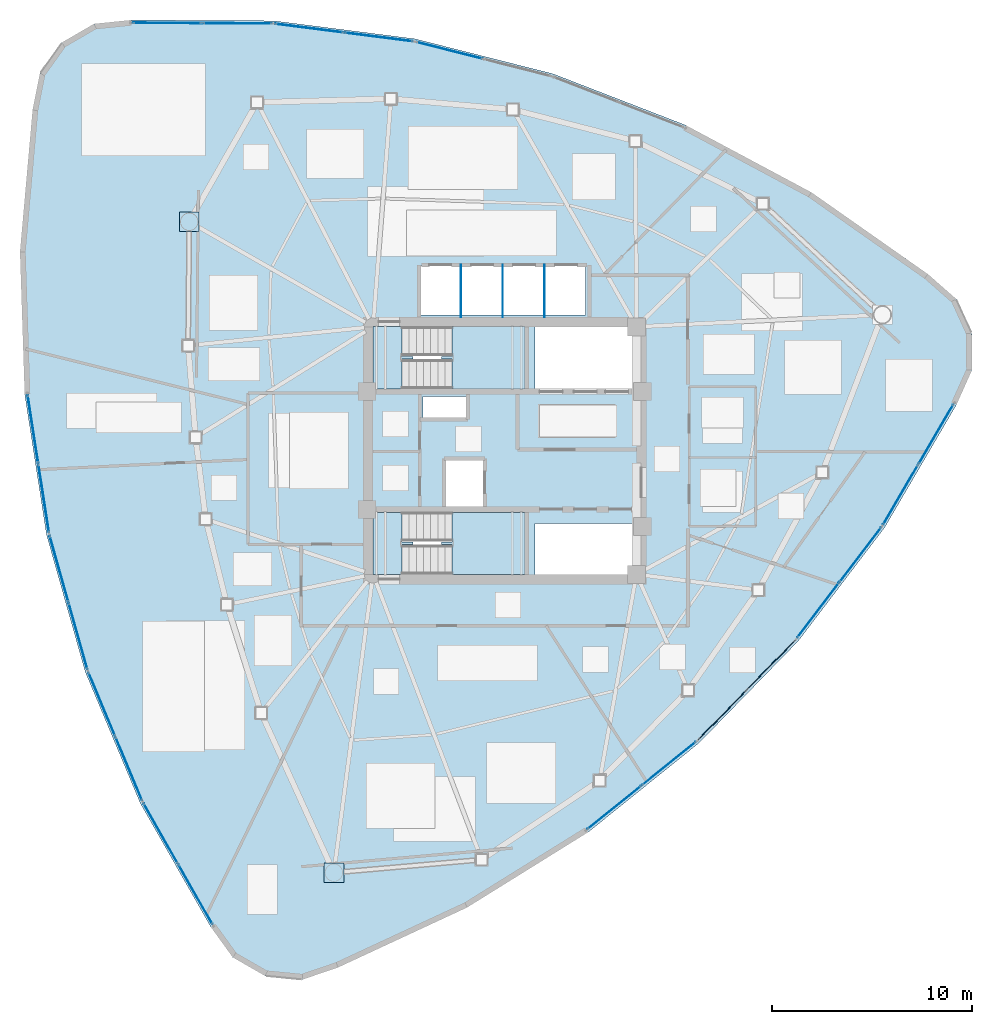
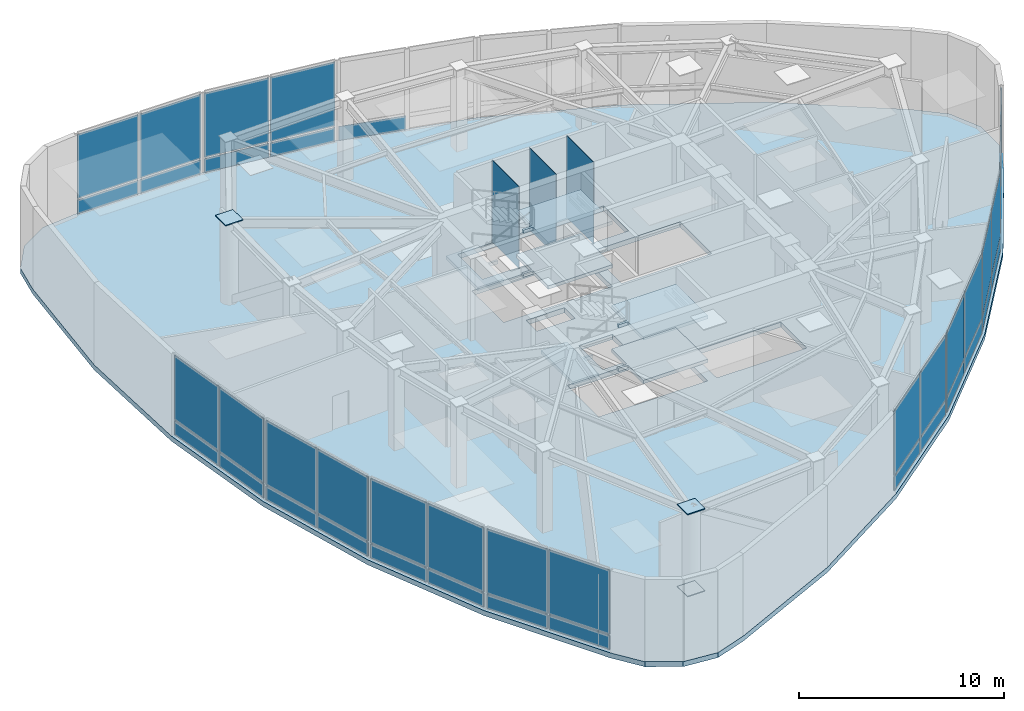
# One storey, part 7 of 12: 47 plates, 7 slabs, 13 elements without a shape of their own.
"""IFC4 building model written with IfcOpenShell, lengths in metres."""

from ifc_helpers import new_model, si_unit, direction, frame, origin, origin_2d, place, context, subcontext, project, spatial, polyline, rectangle, outline, extrude, source, transform, mapped, material, layer, layer_set, type_object, type_shapes, element, aggregate, save


model = new_model("IFC4")

# Units and contexts
model_context = context("Model", 3, precision=1e-05, world=origin(), true_north=direction((0.0, 1.0)))
body_context = subcontext(model_context, "Body", "Model", "MODEL_VIEW")
ifc_project = project(units=[si_unit("LENGTHUNIT", "METRE"), si_unit("AREAUNIT", "SQUARE_METRE"), si_unit("VOLUMEUNIT", "CUBIC_METRE"), si_unit("PLANEANGLEUNIT", "RADIAN"), si_unit("MASSUNIT", "GRAM", prefix="KILO")], contexts=[model_context])

# Site, building, storey
site_placement = place(None, origin())
site = spatial("IfcSite", under=ifc_project, at=site_placement, CompositionType="ELEMENT")
building_placement = place(site_placement, origin())
building = spatial("IfcBuilding", under=site, at=building_placement, Name="Tavelor Broadcast Tower", CompositionType="ELEMENT")
storey_placement = place(building_placement, frame((0.0, 0.0, 216.949951171875)))
storey = spatial("IfcBuildingStorey", under=building, at=storey_placement, Name="L51", CompositionType="ELEMENT", Elevation=216.949951171875)

# Stair, slabs
ifc_material_1 = material(Name="Concrete C40/50", Category="concrete")
stair_type = type_object("IfcStairType", Name="Reinforced Concrete Protected Dogleg Stair 1450 mm", PredefinedType="HALF_TURN_STAIR", material=ifc_material_1)
stair_1_placement = place(storey_placement, origin())
stair_1 = element("IfcStair", 1, at=stair_1_placement, inside=storey, type_object=stair_type, Name="L51 Protected Core Exit Stair ST1", PredefinedType="HALF_TURN_STAIR")
ifc_layer_1 = layer(ifc_material_1, 0.199951171875)
ifc_layer_set_1 = layer_set([ifc_layer_1], Name="Concrete C40/50")
slab_type_1 = type_object("IfcSlabType", Name="Reinforced Concrete Stair Half-Landing Slab 200 mm", PredefinedType="LANDING", material=ifc_layer_set_1)
slab_1_placement = place(storey_placement, frame((0.0, 0.0, 1.10009765625)))
slab_1 = element("IfcSlab", 2, at=slab_1_placement, type_object=slab_type_1, Name="ST1 landing 1", PredefinedType="LANDING", context=body_context, shape_type="SweptSolid", body=[
    extrude(outline(polyline([(47.364990234375, 49.590087890625), (47.364990234375, 48.094970703125), (51.0048828125, 48.094970703125), (51.0048828125, 51.205078125), (47.364990234375, 51.205078125), (47.364990234375, 49.7099609375), (46.824951171875, 49.7099609375), (46.824951171875, 49.590087890625), (47.364990234375, 49.590087890625)])), origin(), (0.0, 0.0, 1.0), 0.199951171875),
])
slab_2_placement = place(storey_placement, frame((0.0, 0.0, 2.400146484375)))
slab_2 = element("IfcSlab", 3, at=slab_2_placement, type_object=slab_type_1, Name="ST1 landing 2", PredefinedType="LANDING", context=body_context, shape_type="SweptSolid", body=[
    extrude(outline(polyline([(43.39501953125, 48.094970703125), (44.85498046875, 48.094970703125), (44.85498046875, 49.590087890625), (45.39501953125, 49.590087890625), (45.39501953125, 49.7099609375), (44.85498046875, 49.7099609375), (44.85498046875, 51.205078125), (43.39501953125, 51.205078125), (43.39501953125, 48.094970703125)])), origin(), (0.0, 0.0, 1.0), 0.199951171875),
])
slab_3_placement = place(storey_placement, frame((0.0, 0.0, 3.699951171875)))
slab_3 = element("IfcSlab", 4, at=slab_3_placement, type_object=slab_type_1, Name="ST1 landing 3", PredefinedType="LANDING", context=body_context, shape_type="SweptSolid", body=[
    extrude(outline(polyline([(47.364990234375, 49.590087890625), (47.364990234375, 48.094970703125), (51.0048828125, 48.094970703125), (51.0048828125, 51.205078125), (47.364990234375, 51.205078125), (47.364990234375, 49.7099609375), (46.824951171875, 49.7099609375), (46.824951171875, 49.590087890625), (47.364990234375, 49.590087890625)])), origin(), (0.0, 0.0, 1.0), 0.2001953125),
])
aggregate(stair_1, [slab_1, slab_2, slab_3])

stair_2_placement = place(storey_placement, origin())
stair_2 = element("IfcStair", 5, at=stair_2_placement, inside=storey, type_object=stair_type, Name="L51 Protected Core Exit Stair ST2", PredefinedType="HALF_TURN_STAIR")
slab_4_placement = place(storey_placement, frame((0.0, 0.0, 1.10009765625)))
slab_4 = element("IfcSlab", 6, at=slab_4_placement, type_object=slab_type_1, Name="ST2 landing 1", PredefinedType="LANDING", context=body_context, shape_type="SweptSolid", body=[
    extrude(outline(polyline([(47.364990234375, 40.2900390625), (47.364990234375, 38.794921875), (51.0048828125, 38.794921875), (51.0048828125, 41.905029296875), (47.364990234375, 41.905029296875), (47.364990234375, 40.409912109375), (46.824951171875, 40.409912109375), (46.824951171875, 40.2900390625), (47.364990234375, 40.2900390625)])), origin(), (0.0, 0.0, 1.0), 0.199951171875),
])
slab_5_placement = place(storey_placement, frame((0.0, 0.0, 2.400146484375)))
slab_5 = element("IfcSlab", 7, at=slab_5_placement, type_object=slab_type_1, Name="ST2 landing 2", PredefinedType="LANDING", context=body_context, shape_type="SweptSolid", body=[
    extrude(outline(polyline([(43.39501953125, 38.794921875), (44.85498046875, 38.794921875), (44.85498046875, 40.2900390625), (45.39501953125, 40.2900390625), (45.39501953125, 40.409912109375), (44.85498046875, 40.409912109375), (44.85498046875, 41.905029296875), (43.39501953125, 41.905029296875), (43.39501953125, 38.794921875)])), origin(), (0.0, 0.0, 1.0), 0.199951171875),
])
slab_6_placement = place(storey_placement, frame((0.0, 0.0, 3.699951171875)))
slab_6 = element("IfcSlab", 8, at=slab_6_placement, type_object=slab_type_1, Name="ST2 landing 3", PredefinedType="LANDING", context=body_context, shape_type="SweptSolid", body=[
    extrude(outline(polyline([(47.364990234375, 40.2900390625), (47.364990234375, 38.794921875), (51.0048828125, 38.794921875), (51.0048828125, 41.905029296875), (47.364990234375, 41.905029296875), (47.364990234375, 40.409912109375), (46.824951171875, 40.409912109375), (46.824951171875, 40.2900390625), (47.364990234375, 40.2900390625)])), origin(), (0.0, 0.0, 1.0), 0.2001953125),
])
aggregate(stair_2, [slab_4, slab_5, slab_6])

# Slab
ifc_layer_2 = layer(ifc_material_1, 0.320068359375)
ifc_layer_set_2 = layer_set([ifc_layer_2], Name="Concrete C40/50")
slab_type_2 = type_object("IfcSlabType", Name="Sky Lobby Floor Slab 320 mm", PredefinedType="FLOOR", material=ifc_layer_set_2)
slab_7_placement = place(storey_placement, frame((0.0, 0.0, -0.300048828125)))
element("IfcSlab", 9, at=slab_7_placement, inside=storey, type_object=slab_type_2, Name="L51 Structural Floor Slab", PredefinedType="FLOOR", context=body_context, shape_type="SweptSolid", body=[
    extrude(outline(polyline([(31.291259765625, 66.568115234375), (29.42626953125, 66.376953125), (27.80517578125, 65.435302734375), (26.715087890625, 63.91015625), (26.349365234375, 62.0712890625), (25.718017578125, 54.96337890625), (25.951416015625, 47.83154296875), (27.046142578125, 40.7802734375), (28.986083984375, 33.9130859375), (31.742919921875, 27.331298828125), (35.27587890625, 21.13134765625), (36.373779296875, 19.61181640625), (37.999755859375, 18.6787109375), (39.86572265625, 18.497314453125), (41.64111328125, 19.10009765625), (48.1123046875, 22.107177734375), (54.172119140625, 25.875244140625), (59.7314453125, 30.34912109375), (64.70849609375, 35.462646484375), (69.030029296875, 41.140869140625), (72.6328125, 47.30029296875), (73.39990234375, 49.010986328125), (73.39501953125, 50.885986328125), (72.618896484375, 52.592529296875), (71.20947265625, 53.82861328125), (65.36962890625, 57.92919921875), (59.076416015625, 61.293212890625), (52.422607421875, 63.870849609375), (45.50537109375, 65.624267578125), (38.427001953125, 66.52783203125), (31.291259765625, 66.568115234375)]), holes=[polyline([(56.60009765625, 41.35009765625), (56.60009765625, 38.800048828125), (51.52001953125, 38.800048828125), (51.52001953125, 41.35009765625), (56.60009765625, 41.35009765625)]), polyline([(50.99609375, 38.803955078125), (44.85400390625, 38.803955078125), (44.85400390625, 41.89599609375), (50.99609375, 41.89599609375), (50.99609375, 38.803955078125)]), polyline([(47.050048828125, 42.199951171875), (47.050048828125, 44.550048828125), (48.949951171875, 44.550048828125), (48.949951171875, 42.199951171875), (47.050048828125, 42.199951171875)]), polyline([(48.050048828125, 46.64990234375), (45.89990234375, 46.64990234375), (45.89990234375, 47.699951171875), (48.050048828125, 47.699951171875), (48.050048828125, 46.64990234375)]), polyline([(50.99609375, 48.10400390625), (44.85400390625, 48.10400390625), (44.85400390625, 51.196044921875), (50.99609375, 51.196044921875), (50.99609375, 48.10400390625)]), polyline([(56.60009765625, 48.10009765625), (51.52001953125, 48.10009765625), (51.52001953125, 51.199951171875), (56.60009765625, 51.199951171875), (56.60009765625, 48.10009765625)]), polyline([(54.050048828125, 51.800048828125), (45.800048828125, 51.800048828125), (45.800048828125, 54.25), (54.050048828125, 54.25), (54.050048828125, 51.800048828125)])]), origin(), (0.0, 0.0, 1.0), 0.300048828125),
])

# Plates
ifc_material_2 = material(Name="Steel S460", Category="steel")
ifc_layer_3 = layer(ifc_material_2, 0.050048828125)
ifc_layer_set_3 = layer_set([ifc_layer_3], Name="Steel S460")
plate_type_1 = type_object("IfcPlateType", Name="Tube Hollow-End Cap Plate KN05 700x700x50", PredefinedType="USERDEFINED", material=ifc_layer_set_3)
shared_shape_1 = source(origin(), body_context, "Body", "SweptSolid", [
    extrude(rectangle(XDim=0.993896484375, YDim=0.993896484375, at=origin_2d()), origin(), (0.0, 0.0, 1.0), 0.054931640625),
])
type_shapes(plate_type_1, [shared_shape_1])
for number, where, z_axis, x_axis, name in (
    (10, (34.1962890625, 56.4599609375, 4.87255859375), (0.0, 0.0, 1.0), (1.0, 0.0, 0.0), "L51 Hollow End Cap Plate KN05 #1506"),
    (11, (41.440185546875, 23.853759765625, -0.02734375), (0.0, 0.0, 1.0), (1.0, 0.0, 0.0), "L51 Hollow End Cap Plate KN05 #1512"),
    (12, (41.440185546875, 23.853759765625, 4.87255859375), (0.0, 0.0, 1.0), (1.0, 0.0, 0.0), "L51 Hollow End Cap Plate KN05 #1513"),
):
    element("IfcPlate", number, at=place(storey_placement, frame(where, z_axis=z_axis, x_axis=x_axis)), inside=storey, type_object=plate_type_1, Name=name, ObjectType="CAP PLATE", PredefinedType="USERDEFINED", context=body_context, shape_type="MappedRepresentation", body=[
        mapped(shared_shape_1, transform((0.0, 0.0, 0.0), scale=1.0)),
    ])
ifc_material_3 = material(Name="Steel S355", Category="steel")
ifc_layer_4 = layer(ifc_material_3, 0.011962890625)
ifc_layer_set_4 = layer_set([ifc_layer_4], Name="Steel S355")
plate_type_2 = type_object("IfcPlateType", Name="Hoistway Steel Separator Screen 12 mm", PredefinedType="SHEET", material=ifc_layer_set_4)
shared_shape_2 = source(origin(), body_context, "Body", "SweptSolid", [
    extrude(rectangle(XDim=0.02001953125, YDim=2.6201171875, at=origin_2d()), origin(), (0.0, 0.0, 1.0), 4.89990234375),
])
type_shapes(plate_type_2, [shared_shape_2])
for number, where, z_axis, x_axis, name in (
    (13, (47.800048828125, 52.989990234375, 0.0), (0.0, 0.0, 1.0), (1.0, 0.0, 0.0), "L51 High-Rise Hoistway Separator Screen 1"),
    (14, (49.89990234375, 52.989990234375, 0.0), (0.0, 0.0, 1.0), (1.0, 0.0, 0.0), "L51 High-Rise Hoistway Separator Screen 2"),
    (15, (52.0, 52.989990234375, 0.0), (0.0, 0.0, 1.0), (1.0, 0.0, 0.0), "L51 High-Rise Hoistway Separator Screen 3"),
):
    element("IfcPlate", number, at=place(storey_placement, frame(where, z_axis=z_axis, x_axis=x_axis)), inside=storey, type_object=plate_type_2, Name=name, PredefinedType="SHEET", context=body_context, shape_type="MappedRepresentation", body=[
        mapped(shared_shape_2, transform((0.0, 0.0, 0.0), scale=1.0)),
    ])

# Curtain wall, plates
ifc_material_4 = material(Name="Architectural Anodized Aluminium", Category="aluminium")
ifc_layer_5 = layer(ifc_material_4, 0.239990234375)
ifc_layer_set_5 = layer_set([ifc_layer_5], Name="Architectural Anodized Aluminium")
curtain_wall_type = type_object("IfcCurtainWallType", Name="Sky Lobby Feature Structural Curtain Wall CW05", PredefinedType="NOTDEFINED", material=ifc_layer_set_5)
curtain_wall_1_placement = place(storey_placement, origin())
curtain_wall_1 = element("IfcCurtainWall", 16, at=curtain_wall_1_placement, inside=storey, type_object=curtain_wall_type, Name="L51 Curtain Wall CW05 Run 541", PredefinedType="NOTDEFINED")
ifc_material_5 = material(Name="Ultra-Clear Structural Glazing 38 mm", Category="glass")
ifc_layer_6 = layer(ifc_material_5, 0.0380859375)
ifc_layer_set_6 = layer_set([ifc_layer_6], Name="Ultra-Clear Structural Glazing 38 mm")
plate_type_3 = type_object("IfcPlateType", Name="CW05 Insulated Vision Glazing Panel 38 mm", PredefinedType="CURTAIN_PANEL", material=ifc_layer_set_6)
shared_shape_3 = source(origin(), body_context, "Body", "SweptSolid", [
    extrude(rectangle(XDim=3.431884765625, YDim=0.0380859375, at=origin_2d()), origin(), (0.0, 0.0, 1.0), 0.830078125),
])
plate_1_placement = place(storey_placement, frame((26.366455078125, 46.06982421875, 0.080078125), z_axis=(0.0, 0.0, 1.0), x_axis=(0.153411036448, -0.988162463311, 0.0)))
plate_1 = element("IfcPlate", 17, at=plate_1_placement, type_object=plate_type_3, Name="CW05 panel 1.1", PredefinedType="CURTAIN_PANEL", context=body_context, shape_type="MappedRepresentation", body=[
    mapped(shared_shape_3, transform((0.0, 0.0, 0.0), scale=1.0)),
])
plate_2_placement = place(storey_placement, frame((26.9052734375, 42.599609375, 0.080078125), z_axis=(0.0, 0.0, 1.0), x_axis=(0.153411036448, -0.988162463311, 0.0)))
plate_2 = element("IfcPlate", 18, at=plate_2_placement, type_object=plate_type_3, Name="CW05 panel 2.1", PredefinedType="CURTAIN_PANEL", context=body_context, shape_type="MappedRepresentation", body=[
    mapped(shared_shape_3, transform((0.0, 0.0, 0.0), scale=1.0)),
])

curtain_wall_2_placement = place(storey_placement, origin())
curtain_wall_2 = element("IfcCurtainWall", 19, at=curtain_wall_2_placement, inside=storey, type_object=curtain_wall_type, Name="L51 Curtain Wall CW05 Run 545", PredefinedType="NOTDEFINED")
plate_3_placement = place(storey_placement, frame((55.490234375, 27.11572265625, 0.080078125), z_axis=(0.0, 0.0, 1.0), x_axis=(0.779069205, 0.626937934584, 0.0)))
plate_3 = element("IfcPlate", 20, at=plate_3_placement, type_object=plate_type_3, Name="CW05 panel 1.1", PredefinedType="CURTAIN_PANEL", context=body_context, shape_type="MappedRepresentation", body=[
    mapped(shared_shape_3, transform((0.0, 0.0, 0.0), scale=1.0)),
])
plate_4_placement = place(storey_placement, frame((58.22607421875, 29.3173828125, 0.080078125), z_axis=(0.0, 0.0, 1.0), x_axis=(0.779069205, 0.626937934584, 0.0)))
plate_4 = element("IfcPlate", 21, at=plate_4_placement, type_object=plate_type_3, Name="CW05 panel 2.1", PredefinedType="CURTAIN_PANEL", context=body_context, shape_type="MappedRepresentation", body=[
    mapped(shared_shape_3, transform((0.0, 0.0, 0.0), scale=1.0)),
])

# Plate
shared_shape_4 = source(origin(), body_context, "Body", "SweptSolid", [
    extrude(rectangle(XDim=3.431884765625, YDim=0.0380859375, at=origin_2d()), origin(), (0.0, 0.0, 1.0), 3.830078125),
])
plate_5_placement = place(storey_placement, frame((26.366455078125, 46.06982421875, 0.989990234375), z_axis=(0.0, 0.0, 1.0), x_axis=(0.153411036448, -0.988162463311, 0.0)))
plate_5 = element("IfcPlate", 22, at=plate_5_placement, type_object=plate_type_3, Name="CW05 panel 1.2", PredefinedType="CURTAIN_PANEL", context=body_context, shape_type="MappedRepresentation", body=[
    mapped(shared_shape_4, transform((0.0, 0.0, 0.0), scale=1.0)),
])

plate_6_placement = place(storey_placement, frame((26.9052734375, 42.599609375, 0.989990234375), z_axis=(0.0, 0.0, 1.0), x_axis=(0.153411036448, -0.988162463311, 0.0)))
plate_6 = element("IfcPlate", 23, at=plate_6_placement, type_object=plate_type_3, Name="CW05 panel 2.2", PredefinedType="CURTAIN_PANEL", context=body_context, shape_type="MappedRepresentation", body=[
    mapped(shared_shape_4, transform((0.0, 0.0, 0.0), scale=1.0)),
])

aggregate(curtain_wall_1, [plate_1, plate_5, plate_2, plate_6])

plate_7_placement = place(storey_placement, frame((55.490234375, 27.11572265625, 0.989990234375), z_axis=(0.0, 0.0, 1.0), x_axis=(0.779069205, 0.626937934584, 0.0)))
plate_7 = element("IfcPlate", 24, at=plate_7_placement, type_object=plate_type_3, Name="CW05 panel 1.2", PredefinedType="CURTAIN_PANEL", context=body_context, shape_type="MappedRepresentation", body=[
    mapped(shared_shape_4, transform((0.0, 0.0, 0.0), scale=1.0)),
])

plate_8_placement = place(storey_placement, frame((58.22607421875, 29.3173828125, 0.989990234375), z_axis=(0.0, 0.0, 1.0), x_axis=(0.779069205, 0.626937934584, 0.0)))
plate_8 = element("IfcPlate", 25, at=plate_8_placement, type_object=plate_type_3, Name="CW05 panel 2.2", PredefinedType="CURTAIN_PANEL", context=body_context, shape_type="MappedRepresentation", body=[
    mapped(shared_shape_4, transform((0.0, 0.0, 0.0), scale=1.0)),
])

aggregate(curtain_wall_2, [plate_3, plate_7, plate_4, plate_8])

# Curtain wall, plates
curtain_wall_3_placement = place(storey_placement, origin())
curtain_wall_3 = element("IfcCurtainWall", 26, at=curtain_wall_3_placement, inside=storey, type_object=curtain_wall_type, Name="L51 Curtain Wall CW05 Run 542", PredefinedType="NOTDEFINED")
shared_shape_5 = source(origin(), body_context, "Body", "SweptSolid", [
    extrude(rectangle(XDim=3.42431640625, YDim=0.0380859375, at=origin_2d()), origin(), (0.0, 0.0, 1.0), 0.830078125),
])
plate_9_placement = place(storey_placement, frame((27.67431640625, 39.07080078125, 0.080078125), z_axis=(0.0, 0.0, 1.0), x_axis=(0.271865560059, -0.962335241615, 0.0)))
plate_9 = element("IfcPlate", 27, at=plate_9_placement, type_object=plate_type_3, Name="CW05 panel 1.1", PredefinedType="CURTAIN_PANEL", context=body_context, shape_type="MappedRepresentation", body=[
    mapped(shared_shape_5, transform((0.0, 0.0, 0.0), scale=1.0)),
])
plate_10_placement = place(storey_placement, frame((28.627197265625, 35.698486328125, 0.080078125), z_axis=(0.0, 0.0, 1.0), x_axis=(0.271865560059, -0.962335241615, 0.0)))
plate_10 = element("IfcPlate", 28, at=plate_10_placement, type_object=plate_type_3, Name="CW05 panel 2.1", PredefinedType="CURTAIN_PANEL", context=body_context, shape_type="MappedRepresentation", body=[
    mapped(shared_shape_5, transform((0.0, 0.0, 0.0), scale=1.0)),
])

curtain_wall_4_placement = place(storey_placement, origin())
curtain_wall_4 = element("IfcCurtainWall", 29, at=curtain_wall_4_placement, inside=storey, type_object=curtain_wall_type, Name="L51 Curtain Wall CW05 Run 543", PredefinedType="NOTDEFINED")
plate_11_placement = place(storey_placement, frame((29.816650390625, 32.29248046875, 0.080078125), z_axis=(0.0, 0.0, 1.0), x_axis=(0.386329576911, -0.922360806845, 0.0)))
plate_11 = element("IfcPlate", 30, at=plate_11_placement, type_object=plate_type_3, Name="CW05 panel 1.1", PredefinedType="CURTAIN_PANEL", context=body_context, shape_type="MappedRepresentation", body=[
    mapped(shared_shape_5, transform((0.0, 0.0, 0.0), scale=1.0)),
])
plate_12_placement = place(storey_placement, frame((31.17041015625, 29.06005859375, 0.080078125), z_axis=(0.0, 0.0, 1.0), x_axis=(0.386329576911, -0.922360806845, 0.0)))
plate_12 = element("IfcPlate", 31, at=plate_12_placement, type_object=plate_type_3, Name="CW05 panel 2.1", PredefinedType="CURTAIN_PANEL", context=body_context, shape_type="MappedRepresentation", body=[
    mapped(shared_shape_5, transform((0.0, 0.0, 0.0), scale=1.0)),
])

curtain_wall_5_placement = place(storey_placement, origin())
curtain_wall_5 = element("IfcCurtainWall", 32, at=curtain_wall_5_placement, inside=storey, type_object=curtain_wall_type, Name="L51 Curtain Wall CW05 Run 546", PredefinedType="NOTDEFINED")
plate_13_placement = place(storey_placement, frame((60.8974609375, 31.747802734375, 0.080078125), z_axis=(0.0, 0.0, 1.0), x_axis=(0.697477749349, 0.716606439521, 0.0)))
plate_13 = element("IfcPlate", 33, at=plate_13_placement, type_object=plate_type_3, Name="CW05 panel 1.1", PredefinedType="CURTAIN_PANEL", context=body_context, shape_type="MappedRepresentation", body=[
    mapped(shared_shape_5, transform((0.0, 0.0, 0.0), scale=1.0)),
])
plate_14_placement = place(storey_placement, frame((63.341796875, 34.259033203125, 0.080078125), z_axis=(0.0, 0.0, 1.0), x_axis=(0.697477749349, 0.716606439521, 0.0)))
plate_14 = element("IfcPlate", 34, at=plate_14_placement, type_object=plate_type_3, Name="CW05 panel 2.1", PredefinedType="CURTAIN_PANEL", context=body_context, shape_type="MappedRepresentation", body=[
    mapped(shared_shape_5, transform((0.0, 0.0, 0.0), scale=1.0)),
])

curtain_wall_6_placement = place(storey_placement, origin())
curtain_wall_6 = element("IfcCurtainWall", 35, at=curtain_wall_6_placement, inside=storey, type_object=curtain_wall_type, Name="L51 Curtain Wall CW05 Run 547", PredefinedType="NOTDEFINED")
plate_15_placement = place(storey_placement, frame((65.69677734375, 36.9921875, 0.080078125), z_axis=(0.0, 0.0, 1.0), x_axis=(0.605630010837, 0.795746372894, 0.0)))
plate_15 = element("IfcPlate", 36, at=plate_15_placement, type_object=plate_type_3, Name="CW05 panel 1.1", PredefinedType="CURTAIN_PANEL", context=body_context, shape_type="MappedRepresentation", body=[
    mapped(shared_shape_5, transform((0.0, 0.0, 0.0), scale=1.0)),
])
plate_16_placement = place(storey_placement, frame((67.819091796875, 39.78076171875, 0.080078125), z_axis=(0.0, 0.0, 1.0), x_axis=(0.605630010837, 0.795746372894, 0.0)))
plate_16 = element("IfcPlate", 37, at=plate_16_placement, type_object=plate_type_3, Name="CW05 panel 2.1", PredefinedType="CURTAIN_PANEL", context=body_context, shape_type="MappedRepresentation", body=[
    mapped(shared_shape_5, transform((0.0, 0.0, 0.0), scale=1.0)),
])

# Curtain wall, plate
curtain_wall_7_placement = place(storey_placement, origin())
curtain_wall_7 = element("IfcCurtainWall", 38, at=curtain_wall_7_placement, inside=storey, type_object=curtain_wall_type, Name="L51 Curtain Wall CW05 Run 550", PredefinedType="NOTDEFINED")
plate_17_placement = place(storey_placement, frame((47.23095703125, 65.04248046875, 0.080078125), z_axis=(0.0, 0.0, 1.0), x_axis=(-0.969339814509, 0.245724081049, 0.0)))
plate_17 = element("IfcPlate", 39, at=plate_17_placement, type_object=plate_type_3, Name="CW05 panel 2.1", PredefinedType="CURTAIN_PANEL", context=body_context, shape_type="MappedRepresentation", body=[
    mapped(shared_shape_5, transform((0.0, 0.0, 0.0), scale=1.0)),
])
aggregate(curtain_wall_7, [plate_17])

# Curtain wall, plates
curtain_wall_8_placement = place(storey_placement, origin())
curtain_wall_8 = element("IfcCurtainWall", 40, at=curtain_wall_8_placement, inside=storey, type_object=curtain_wall_type, Name="L51 Curtain Wall CW05 Run 551", PredefinedType="NOTDEFINED")
plate_18_placement = place(storey_placement, frame((43.6865234375, 65.71533203125, 0.080078125), z_axis=(0.0, 0.0, 1.0), x_axis=(-0.9919511368, 0.126621254934, 0.0)))
plate_18 = element("IfcPlate", 41, at=plate_18_placement, type_object=plate_type_3, Name="CW05 panel 1.1", PredefinedType="CURTAIN_PANEL", context=body_context, shape_type="MappedRepresentation", body=[
    mapped(shared_shape_5, transform((0.0, 0.0, 0.0), scale=1.0)),
])
plate_19_placement = place(storey_placement, frame((40.21044921875, 66.1591796875, 0.080078125), z_axis=(0.0, 0.0, 1.0), x_axis=(-0.9919511368, 0.126621254934, 0.0)))
plate_19 = element("IfcPlate", 42, at=plate_19_placement, type_object=plate_type_3, Name="CW05 panel 2.1", PredefinedType="CURTAIN_PANEL", context=body_context, shape_type="MappedRepresentation", body=[
    mapped(shared_shape_5, transform((0.0, 0.0, 0.0), scale=1.0)),
])

# Plate
shared_shape_6 = source(origin(), body_context, "Body", "SweptSolid", [
    extrude(rectangle(XDim=3.42431640625, YDim=0.0380859375, at=origin_2d()), origin(), (0.0, 0.0, 1.0), 3.830078125),
])
plate_20_placement = place(storey_placement, frame((27.67431640625, 39.07080078125, 0.989990234375), z_axis=(0.0, 0.0, 1.0), x_axis=(0.271865560059, -0.962335241615, 0.0)))
plate_20 = element("IfcPlate", 43, at=plate_20_placement, type_object=plate_type_3, Name="CW05 panel 1.2", PredefinedType="CURTAIN_PANEL", context=body_context, shape_type="MappedRepresentation", body=[
    mapped(shared_shape_6, transform((0.0, 0.0, 0.0), scale=1.0)),
])

plate_21_placement = place(storey_placement, frame((28.627197265625, 35.698486328125, 0.989990234375), z_axis=(0.0, 0.0, 1.0), x_axis=(0.271865560059, -0.962335241615, 0.0)))
plate_21 = element("IfcPlate", 44, at=plate_21_placement, type_object=plate_type_3, Name="CW05 panel 2.2", PredefinedType="CURTAIN_PANEL", context=body_context, shape_type="MappedRepresentation", body=[
    mapped(shared_shape_6, transform((0.0, 0.0, 0.0), scale=1.0)),
])

aggregate(curtain_wall_3, [plate_9, plate_20, plate_10, plate_21])

plate_22_placement = place(storey_placement, frame((29.816650390625, 32.29248046875, 0.989990234375), z_axis=(0.0, 0.0, 1.0), x_axis=(0.386329576911, -0.922360806845, 0.0)))
plate_22 = element("IfcPlate", 45, at=plate_22_placement, type_object=plate_type_3, Name="CW05 panel 1.2", PredefinedType="CURTAIN_PANEL", context=body_context, shape_type="MappedRepresentation", body=[
    mapped(shared_shape_6, transform((0.0, 0.0, 0.0), scale=1.0)),
])

plate_23_placement = place(storey_placement, frame((31.17041015625, 29.06005859375, 0.989990234375), z_axis=(0.0, 0.0, 1.0), x_axis=(0.386329576911, -0.922360806845, 0.0)))
plate_23 = element("IfcPlate", 46, at=plate_23_placement, type_object=plate_type_3, Name="CW05 panel 2.2", PredefinedType="CURTAIN_PANEL", context=body_context, shape_type="MappedRepresentation", body=[
    mapped(shared_shape_6, transform((0.0, 0.0, 0.0), scale=1.0)),
])

aggregate(curtain_wall_4, [plate_11, plate_22, plate_12, plate_23])

plate_24_placement = place(storey_placement, frame((60.8974609375, 31.747802734375, 0.989990234375), z_axis=(0.0, 0.0, 1.0), x_axis=(0.697477749349, 0.716606439521, 0.0)))
plate_24 = element("IfcPlate", 47, at=plate_24_placement, type_object=plate_type_3, Name="CW05 panel 1.2", PredefinedType="CURTAIN_PANEL", context=body_context, shape_type="MappedRepresentation", body=[
    mapped(shared_shape_6, transform((0.0, 0.0, 0.0), scale=1.0)),
])

plate_25_placement = place(storey_placement, frame((63.341796875, 34.259033203125, 0.989990234375), z_axis=(0.0, 0.0, 1.0), x_axis=(0.697477749349, 0.716606439521, 0.0)))
plate_25 = element("IfcPlate", 48, at=plate_25_placement, type_object=plate_type_3, Name="CW05 panel 2.2", PredefinedType="CURTAIN_PANEL", context=body_context, shape_type="MappedRepresentation", body=[
    mapped(shared_shape_6, transform((0.0, 0.0, 0.0), scale=1.0)),
])

aggregate(curtain_wall_5, [plate_13, plate_24, plate_14, plate_25])

plate_26_placement = place(storey_placement, frame((65.69677734375, 36.9921875, 0.989990234375), z_axis=(0.0, 0.0, 1.0), x_axis=(0.605630010837, 0.795746372894, 0.0)))
plate_26 = element("IfcPlate", 49, at=plate_26_placement, type_object=plate_type_3, Name="CW05 panel 1.2", PredefinedType="CURTAIN_PANEL", context=body_context, shape_type="MappedRepresentation", body=[
    mapped(shared_shape_6, transform((0.0, 0.0, 0.0), scale=1.0)),
])

plate_27_placement = place(storey_placement, frame((67.819091796875, 39.78076171875, 0.989990234375), z_axis=(0.0, 0.0, 1.0), x_axis=(0.605630010837, 0.795746372894, 0.0)))
plate_27 = element("IfcPlate", 50, at=plate_27_placement, type_object=plate_type_3, Name="CW05 panel 2.2", PredefinedType="CURTAIN_PANEL", context=body_context, shape_type="MappedRepresentation", body=[
    mapped(shared_shape_6, transform((0.0, 0.0, 0.0), scale=1.0)),
])

aggregate(curtain_wall_6, [plate_15, plate_26, plate_16, plate_27])

plate_28_placement = place(storey_placement, frame((43.6865234375, 65.71533203125, 0.989990234375), z_axis=(0.0, 0.0, 1.0), x_axis=(-0.9919511368, 0.126621254934, 0.0)))
plate_28 = element("IfcPlate", 51, at=plate_28_placement, type_object=plate_type_3, Name="CW05 panel 1.2", PredefinedType="CURTAIN_PANEL", context=body_context, shape_type="MappedRepresentation", body=[
    mapped(shared_shape_6, transform((0.0, 0.0, 0.0), scale=1.0)),
])

plate_29_placement = place(storey_placement, frame((40.21044921875, 66.1591796875, 0.989990234375), z_axis=(0.0, 0.0, 1.0), x_axis=(-0.9919511368, 0.126621254934, 0.0)))
plate_29 = element("IfcPlate", 52, at=plate_29_placement, type_object=plate_type_3, Name="CW05 panel 2.2", PredefinedType="CURTAIN_PANEL", context=body_context, shape_type="MappedRepresentation", body=[
    mapped(shared_shape_6, transform((0.0, 0.0, 0.0), scale=1.0)),
])

aggregate(curtain_wall_8, [plate_18, plate_28, plate_19, plate_29])

# Curtain wall, plates
curtain_wall_9_placement = place(storey_placement, origin())
curtain_wall_9 = element("IfcCurtainWall", 53, at=curtain_wall_9_placement, inside=storey, type_object=curtain_wall_type, Name="L51 Curtain Wall CW05 Run 544", PredefinedType="NOTDEFINED")
shared_shape_7 = source(origin(), body_context, "Body", "SweptSolid", [
    extrude(rectangle(XDim=3.432373046875, YDim=0.0380859375, at=origin_2d()), origin(), (0.0, 0.0, 1.0), 0.830078125),
])
plate_30_placement = place(storey_placement, frame((32.765380859375, 25.819580078125, 0.080078125), z_axis=(0.0, 0.0, 1.0), x_axis=(0.495101799319, -0.868834971851, 0.0)))
plate_30 = element("IfcPlate", 54, at=plate_30_placement, type_object=plate_type_3, Name="CW05 panel 1.1", PredefinedType="CURTAIN_PANEL", context=body_context, shape_type="MappedRepresentation", body=[
    mapped(shared_shape_7, transform((0.0, 0.0, 0.0), scale=1.0)),
])
plate_31_placement = place(storey_placement, frame((34.50439453125, 22.767822265625, 0.080078125), z_axis=(0.0, 0.0, 1.0), x_axis=(0.495101799319, -0.868834971851, 0.0)))
plate_31 = element("IfcPlate", 55, at=plate_31_placement, type_object=plate_type_3, Name="CW05 panel 2.1", PredefinedType="CURTAIN_PANEL", context=body_context, shape_type="MappedRepresentation", body=[
    mapped(shared_shape_7, transform((0.0, 0.0, 0.0), scale=1.0)),
])

curtain_wall_10_placement = place(storey_placement, origin())
curtain_wall_10 = element("IfcCurtainWall", 56, at=curtain_wall_10_placement, inside=storey, type_object=curtain_wall_type, Name="L51 Curtain Wall CW05 Run 548", PredefinedType="NOTDEFINED")
plate_32_placement = place(storey_placement, frame((69.827880859375, 42.7822265625, 0.080078125), z_axis=(0.0, 0.0, 1.0), x_axis=(0.504888459727, 0.863184593951, 0.0)))
plate_32 = element("IfcPlate", 57, at=plate_32_placement, type_object=plate_type_3, Name="CW05 panel 1.1", PredefinedType="CURTAIN_PANEL", context=body_context, shape_type="MappedRepresentation", body=[
    mapped(shared_shape_7, transform((0.0, 0.0, 0.0), scale=1.0)),
])
plate_33_placement = place(storey_placement, frame((71.601318359375, 45.814208984375, 0.080078125), z_axis=(0.0, 0.0, 1.0), x_axis=(0.504888459727, 0.863184593951, 0.0)))
plate_33 = element("IfcPlate", 58, at=plate_33_placement, type_object=plate_type_3, Name="CW05 panel 2.1", PredefinedType="CURTAIN_PANEL", context=body_context, shape_type="MappedRepresentation", body=[
    mapped(shared_shape_7, transform((0.0, 0.0, 0.0), scale=1.0)),
])

curtain_wall_11_placement = place(storey_placement, origin())
curtain_wall_11 = element("IfcCurtainWall", 59, at=curtain_wall_11_placement, inside=storey, type_object=curtain_wall_type, Name="L51 Curtain Wall CW05 Run 552", PredefinedType="NOTDEFINED")
plate_34_placement = place(storey_placement, frame((36.6064453125, 66.39794921875, 0.080078125), z_axis=(0.0, 0.0, 1.0), x_axis=(-0.999983992172, 0.005658215315, 0.0)))
plate_34 = element("IfcPlate", 60, at=plate_34_placement, type_object=plate_type_3, Name="CW05 panel 1.1", PredefinedType="CURTAIN_PANEL", context=body_context, shape_type="MappedRepresentation", body=[
    mapped(shared_shape_7, transform((0.0, 0.0, 0.0), scale=1.0)),
])
plate_35_placement = place(storey_placement, frame((33.09423828125, 66.41796875, 0.080078125), z_axis=(0.0, 0.0, 1.0), x_axis=(-0.999983992172, 0.005658215315, 0.0)))
plate_35 = element("IfcPlate", 61, at=plate_35_placement, type_object=plate_type_3, Name="CW05 panel 2.1", PredefinedType="CURTAIN_PANEL", context=body_context, shape_type="MappedRepresentation", body=[
    mapped(shared_shape_7, transform((0.0, 0.0, 0.0), scale=1.0)),
])

# Plate
shared_shape_8 = source(origin(), body_context, "Body", "SweptSolid", [
    extrude(rectangle(XDim=3.432373046875, YDim=0.0380859375, at=origin_2d()), origin(), (0.0, 0.0, 1.0), 3.830078125),
])
type_shapes(plate_type_3, [shared_shape_3, shared_shape_4, shared_shape_5, shared_shape_6, shared_shape_7, shared_shape_8])
plate_36_placement = place(storey_placement, frame((32.765380859375, 25.819580078125, 0.989990234375), z_axis=(0.0, 0.0, 1.0), x_axis=(0.495101799319, -0.868834971851, 0.0)))
plate_36 = element("IfcPlate", 62, at=plate_36_placement, type_object=plate_type_3, Name="CW05 panel 1.2", PredefinedType="CURTAIN_PANEL", context=body_context, shape_type="MappedRepresentation", body=[
    mapped(shared_shape_8, transform((0.0, 0.0, 0.0), scale=1.0)),
])

plate_37_placement = place(storey_placement, frame((34.50439453125, 22.767822265625, 0.989990234375), z_axis=(0.0, 0.0, 1.0), x_axis=(0.495101799319, -0.868834971851, 0.0)))
plate_37 = element("IfcPlate", 63, at=plate_37_placement, type_object=plate_type_3, Name="CW05 panel 2.2", PredefinedType="CURTAIN_PANEL", context=body_context, shape_type="MappedRepresentation", body=[
    mapped(shared_shape_8, transform((0.0, 0.0, 0.0), scale=1.0)),
])

aggregate(curtain_wall_9, [plate_30, plate_36, plate_31, plate_37])

plate_38_placement = place(storey_placement, frame((69.827880859375, 42.7822265625, 0.989990234375), z_axis=(0.0, 0.0, 1.0), x_axis=(0.504888459727, 0.863184593951, 0.0)))
plate_38 = element("IfcPlate", 64, at=plate_38_placement, type_object=plate_type_3, Name="CW05 panel 1.2", PredefinedType="CURTAIN_PANEL", context=body_context, shape_type="MappedRepresentation", body=[
    mapped(shared_shape_8, transform((0.0, 0.0, 0.0), scale=1.0)),
])

plate_39_placement = place(storey_placement, frame((71.601318359375, 45.814208984375, 0.989990234375), z_axis=(0.0, 0.0, 1.0), x_axis=(0.504888459727, 0.863184593951, 0.0)))
plate_39 = element("IfcPlate", 65, at=plate_39_placement, type_object=plate_type_3, Name="CW05 panel 2.2", PredefinedType="CURTAIN_PANEL", context=body_context, shape_type="MappedRepresentation", body=[
    mapped(shared_shape_8, transform((0.0, 0.0, 0.0), scale=1.0)),
])

aggregate(curtain_wall_10, [plate_32, plate_38, plate_33, plate_39])

plate_40_placement = place(storey_placement, frame((36.6064453125, 66.39794921875, 0.989990234375), z_axis=(0.0, 0.0, 1.0), x_axis=(-0.999983992172, 0.005658215315, 0.0)))
plate_40 = element("IfcPlate", 66, at=plate_40_placement, type_object=plate_type_3, Name="CW05 panel 1.2", PredefinedType="CURTAIN_PANEL", context=body_context, shape_type="MappedRepresentation", body=[
    mapped(shared_shape_8, transform((0.0, 0.0, 0.0), scale=1.0)),
])

plate_41_placement = place(storey_placement, frame((33.09423828125, 66.41796875, 0.989990234375), z_axis=(0.0, 0.0, 1.0), x_axis=(-0.999983992172, 0.005658215315, 0.0)))
plate_41 = element("IfcPlate", 67, at=plate_41_placement, type_object=plate_type_3, Name="CW05 panel 2.2", PredefinedType="CURTAIN_PANEL", context=body_context, shape_type="MappedRepresentation", body=[
    mapped(shared_shape_8, transform((0.0, 0.0, 0.0), scale=1.0)),
])

aggregate(curtain_wall_11, [plate_34, plate_40, plate_35, plate_41])

save(model, "model.ifc")
